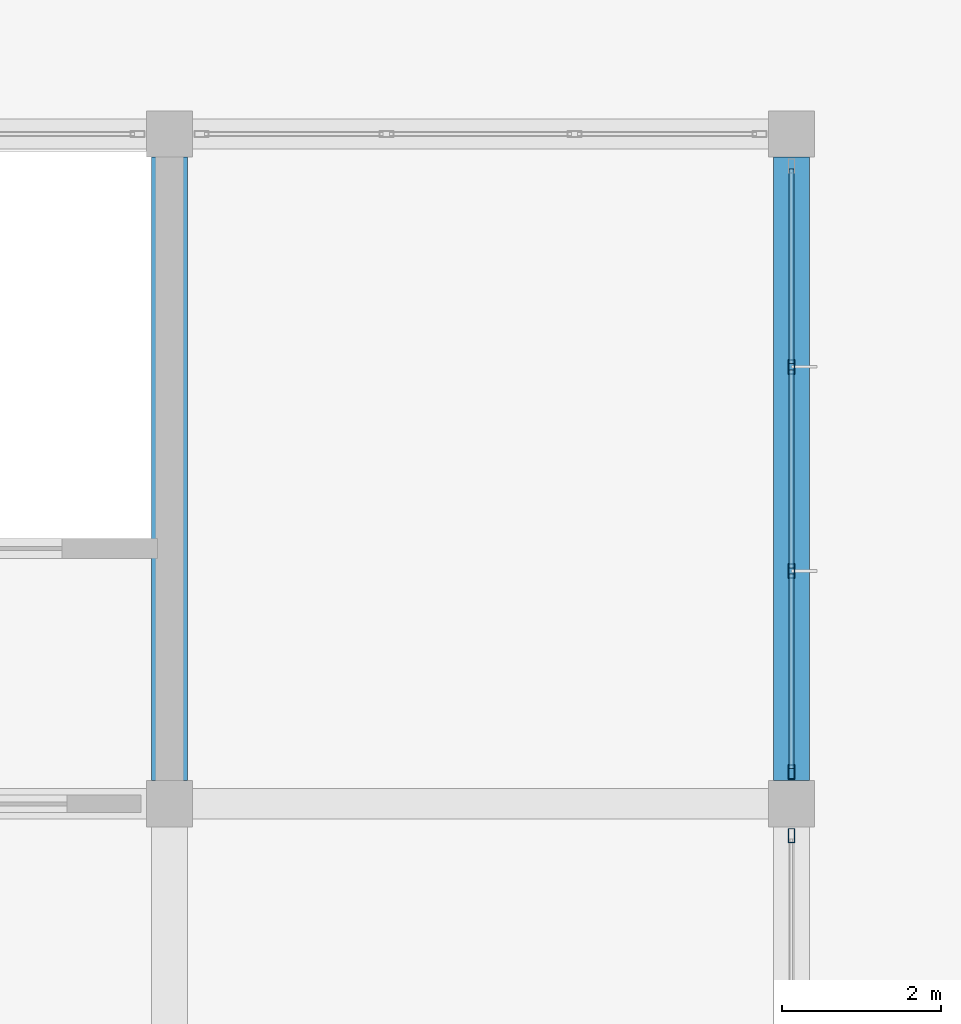
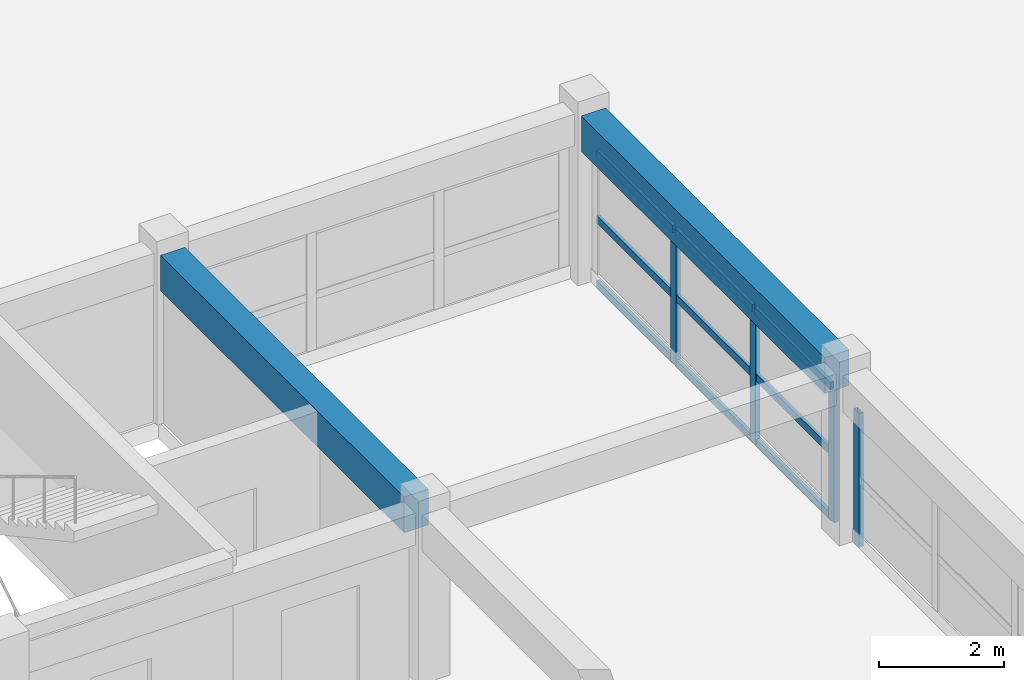
# One storey, part 73 of 101: 13 members, 2 beams, 2 elements without a shape of their own.
"""IFC4 building model written with IfcOpenShell, lengths in metres."""

from ifc_helpers import new_model, si_unit, direction, frame, origin, origin_2d, place, context, subcontext, project, spatial, rectangle, hollow_rectangle, extrude, material, layer, layer_set, material_profile, profile_set, type_object, element, aggregate, save


model = new_model("IFC4")

# Units and contexts
model_context = context("Model", 3, precision=1e-05, world=origin(), true_north=direction((0.0, 1.0)))
body_context = subcontext(model_context, "Body", "Model", "MODEL_VIEW")
ifc_project = project(units=[si_unit("LENGTHUNIT", "METRE"), si_unit("AREAUNIT", "SQUARE_METRE"), si_unit("VOLUMEUNIT", "CUBIC_METRE"), si_unit("PLANEANGLEUNIT", "RADIAN"), si_unit("MASSUNIT", "GRAM", prefix="KILO")], contexts=[model_context])

# Site, building, storey
site_placement = place(None, origin())
site = spatial("IfcSite", under=ifc_project, at=site_placement, CompositionType="ELEMENT")
building_placement = place(site_placement, origin())
building = spatial("IfcBuilding", under=site, at=building_placement, Name="Zizhar Promenade General Hospital", CompositionType="ELEMENT")
storey_placement = place(building_placement, frame((0.0, 0.0, 14.39990234375)))
storey = spatial("IfcBuildingStorey", under=building, at=storey_placement, Name="L03", CompositionType="ELEMENT", Elevation=14.39990234375)

# Beams
ifc_material_1 = material(Name="Concrete C35/45", Category="concrete")
ifc_material_profile_1 = material_profile(ifc_material_1, rectangle(XDim=0.449951171875, YDim=0.699951171875, at=origin_2d()))
ifc_profile_set_1 = profile_set([ifc_material_profile_1], Name="Concrete C35/45")
beam_type = type_object("IfcBeamType", Name="BM-RC-450x700", PredefinedType="BEAM", material=ifc_profile_set_1)
for number, where, z_axis, x_axis, name in (
    (1, (179.39990234375, 92.68994140625, 2.960205078125), (0.0, 1.0, 0.0), (-1.0, 0.0, 0.0), "Grid Beam Y L03 (23-11)"),
    (2, (187.199951171875, 92.68994140625, 2.960205078125), (0.0, 1.0, 0.0), (-1.0, 0.0, 0.0), "Grid Beam Y L03 (24-11)"),
):
    element("IfcBeam", number, at=place(storey_placement, frame(where, z_axis=z_axis, x_axis=x_axis)), inside=storey, type_object=beam_type, Name=name, PredefinedType="BEAM", context=body_context, shape_type="SweptSolid", body=[
        extrude(rectangle(XDim=0.449951171875, YDim=0.699951171875, at=origin_2d()), origin(), (0.0, 0.0, 1.0), 7.820068359375),
    ])

# Curtain wall, member
ifc_material_2 = material(Name="Anodised aluminium 6063-T6 and low-E glass", Category="aluminium")
ifc_layer = layer(ifc_material_2, 0.159912109375)
ifc_layer_set = layer_set([ifc_layer], Name="Anodised aluminium 6063-T6 and low-E glass")
curtain_wall_type = type_object("IfcCurtainWallType", Name="CW-CLN-L03", PredefinedType="NOTDEFINED", material=ifc_layer_set)
curtain_wall_1_placement = place(storey_placement, origin())
curtain_wall_1 = element("IfcCurtainWall", 3, at=curtain_wall_1_placement, inside=storey, type_object=curtain_wall_type, Name="L03 Clinic Pavilion East Glazing 10", PredefinedType="NOTDEFINED")
ifc_material_3 = material(Name="Anodised aluminium 6063-T6", Category="aluminium")
ifc_material_profile_2 = material_profile(ifc_material_3, hollow_rectangle(XDim=0.080078125, YDim=0.179931640625, WallThickness=0.0048828125, at=origin_2d()))
ifc_profile_set_2 = profile_set([ifc_material_profile_2], Name="Anodised aluminium 6063-T6")
member_type_1 = type_object("IfcMemberType", Name="CWM-ALU-180x80", PredefinedType="MULLION", material=ifc_profile_set_2)
member_1_placement = place(storey_placement, frame((187.199951171875, 92.0, 0.0), z_axis=(0.0, 0.0, 1.0), x_axis=(1.0, 0.0, 0.0)))
member_1 = element("IfcMember", 4, at=member_1_placement, type_object=member_type_1, Name="CW-11 mullion 1", PredefinedType="MULLION", context=body_context, shape_type="SweptSolid", body=[
    extrude(hollow_rectangle(XDim=0.080078125, YDim=0.179931640625, WallThickness=0.0048828125, at=origin_2d()), origin(), (0.0, 0.0, 1.0), 2.6201171875),
])
aggregate(curtain_wall_1, [member_1])

# Curtain wall, members
curtain_wall_2_placement = place(storey_placement, origin())
curtain_wall_2 = element("IfcCurtainWall", 5, at=curtain_wall_2_placement, inside=storey, type_object=curtain_wall_type, Name="L03 Clinic Pavilion East Glazing 11", PredefinedType="NOTDEFINED")
member_2_placement = place(storey_placement, frame((187.199951171875, 97.8798828125, 0.0), z_axis=(0.0, 0.0, 1.0), x_axis=(1.0, 0.0, 0.0)))
member_2 = element("IfcMember", 6, at=member_2_placement, type_object=member_type_1, Name="CW-11 mullion 2", PredefinedType="MULLION", context=body_context, shape_type="SweptSolid", body=[
    extrude(hollow_rectangle(XDim=0.080078125, YDim=0.179931640625, WallThickness=0.0048828125, at=origin_2d()), origin(), (0.0, 0.0, 1.0), 2.6201171875),
])
member_3_placement = place(storey_placement, frame((187.199951171875, 95.320068359375, 0.0), z_axis=(0.0, 0.0, 1.0), x_axis=(1.0, 0.0, 0.0)))
member_3 = element("IfcMember", 7, at=member_3_placement, type_object=member_type_1, Name="CW-11 mullion 3", PredefinedType="MULLION", context=body_context, shape_type="SweptSolid", body=[
    extrude(hollow_rectangle(XDim=0.080078125, YDim=0.179931640625, WallThickness=0.0048828125, at=origin_2d()), origin(), (0.0, 0.0, 1.0), 2.6201171875),
])
member_4_placement = place(storey_placement, frame((187.199951171875, 92.800048828125, 0.0), z_axis=(0.0, 0.0, 1.0), x_axis=(1.0, 0.0, 0.0)))
member_4 = element("IfcMember", 8, at=member_4_placement, type_object=member_type_1, Name="CW-11 mullion 4", PredefinedType="MULLION", context=body_context, shape_type="SweptSolid", body=[
    extrude(hollow_rectangle(XDim=0.080078125, YDim=0.179931640625, WallThickness=0.0048828125, at=origin_2d()), origin(), (0.0, 0.0, 1.0), 2.6201171875),
])
ifc_material_4 = material(Name="Anodised aluminium 6063-T6", Category="aluminium")
ifc_material_profile_3 = material_profile(ifc_material_4, hollow_rectangle(XDim=0.06005859375, YDim=0.14990234375, WallThickness=0.00390625, at=origin_2d()))
ifc_profile_set_3 = profile_set([ifc_material_profile_3], Name="Anodised aluminium 6063-T6")
member_type_2 = type_object("IfcMemberType", Name="CWT-ALU-150x60", PredefinedType="USERDEFINED", material=ifc_profile_set_3)
member_5_placement = place(storey_placement, frame((187.199951171875, 100.360107421875, 0.030029296875), z_axis=(0.0, -1.0, 0.0), x_axis=(1.0, 0.0, 0.0)))
member_5 = element("IfcMember", 9, at=member_5_placement, type_object=member_type_2, Name="CW-11 transom 1.1", ObjectType="TRANSOM", PredefinedType="USERDEFINED", context=body_context, shape_type="SweptSolid", body=[
    extrude(hollow_rectangle(XDim=0.06005859375, YDim=0.14990234375, WallThickness=0.00390625, at=origin_2d()), origin(), (0.0, 0.0, 1.0), 2.440185546875),
])
member_6_placement = place(storey_placement, frame((187.199951171875, 100.360107421875, 1.31005859375), z_axis=(0.0, -1.0, 0.0), x_axis=(1.0, 0.0, 0.0)))
member_6 = element("IfcMember", 10, at=member_6_placement, type_object=member_type_2, Name="CW-11 transom 1.2", ObjectType="TRANSOM", PredefinedType="USERDEFINED", context=body_context, shape_type="SweptSolid", body=[
    extrude(hollow_rectangle(XDim=0.06005859375, YDim=0.14990234375, WallThickness=0.00390625, at=origin_2d()), origin(), (0.0, 0.0, 1.0), 2.440185546875),
])
member_7_placement = place(storey_placement, frame((187.199951171875, 100.360107421875, 2.590087890625), z_axis=(0.0, -1.0, 0.0), x_axis=(1.0, 0.0, 0.0)))
member_7 = element("IfcMember", 11, at=member_7_placement, type_object=member_type_2, Name="CW-11 transom 1.3", ObjectType="TRANSOM", PredefinedType="USERDEFINED", context=body_context, shape_type="SweptSolid", body=[
    extrude(hollow_rectangle(XDim=0.06005859375, YDim=0.14990234375, WallThickness=0.00390625, at=origin_2d()), origin(), (0.0, 0.0, 1.0), 2.440185546875),
])
member_8_placement = place(storey_placement, frame((187.199951171875, 97.840087890625, 0.030029296875), z_axis=(0.0, -1.0, 0.0), x_axis=(1.0, 0.0, 0.0)))
member_8 = element("IfcMember", 12, at=member_8_placement, type_object=member_type_2, Name="CW-11 transom 2.1", ObjectType="TRANSOM", PredefinedType="USERDEFINED", context=body_context, shape_type="SweptSolid", body=[
    extrude(hollow_rectangle(XDim=0.06005859375, YDim=0.14990234375, WallThickness=0.00390625, at=origin_2d()), origin(), (0.0, 0.0, 1.0), 2.47998046875),
])
member_9_placement = place(storey_placement, frame((187.199951171875, 97.840087890625, 1.31005859375), z_axis=(0.0, -1.0, 0.0), x_axis=(1.0, 0.0, 0.0)))
member_9 = element("IfcMember", 13, at=member_9_placement, type_object=member_type_2, Name="CW-11 transom 2.2", ObjectType="TRANSOM", PredefinedType="USERDEFINED", context=body_context, shape_type="SweptSolid", body=[
    extrude(hollow_rectangle(XDim=0.06005859375, YDim=0.14990234375, WallThickness=0.00390625, at=origin_2d()), origin(), (0.0, 0.0, 1.0), 2.47998046875),
])
member_10_placement = place(storey_placement, frame((187.199951171875, 97.840087890625, 2.590087890625), z_axis=(0.0, -1.0, 0.0), x_axis=(1.0, 0.0, 0.0)))
member_10 = element("IfcMember", 14, at=member_10_placement, type_object=member_type_2, Name="CW-11 transom 2.3", ObjectType="TRANSOM", PredefinedType="USERDEFINED", context=body_context, shape_type="SweptSolid", body=[
    extrude(hollow_rectangle(XDim=0.06005859375, YDim=0.14990234375, WallThickness=0.00390625, at=origin_2d()), origin(), (0.0, 0.0, 1.0), 2.47998046875),
])
member_11_placement = place(storey_placement, frame((187.199951171875, 95.280029296875, 0.030029296875), z_axis=(0.0, -1.0, 0.0), x_axis=(1.0, 0.0, 0.0)))
member_11 = element("IfcMember", 15, at=member_11_placement, type_object=member_type_2, Name="CW-11 transom 3.1", ObjectType="TRANSOM", PredefinedType="USERDEFINED", context=body_context, shape_type="SweptSolid", body=[
    extrude(hollow_rectangle(XDim=0.06005859375, YDim=0.14990234375, WallThickness=0.00390625, at=origin_2d()), origin(), (0.0, 0.0, 1.0), 2.43994140625),
])
member_12_placement = place(storey_placement, frame((187.199951171875, 95.280029296875, 1.31005859375), z_axis=(0.0, -1.0, 0.0), x_axis=(1.0, 0.0, 0.0)))
member_12 = element("IfcMember", 16, at=member_12_placement, type_object=member_type_2, Name="CW-11 transom 3.2", ObjectType="TRANSOM", PredefinedType="USERDEFINED", context=body_context, shape_type="SweptSolid", body=[
    extrude(hollow_rectangle(XDim=0.06005859375, YDim=0.14990234375, WallThickness=0.00390625, at=origin_2d()), origin(), (0.0, 0.0, 1.0), 2.43994140625),
])
member_13_placement = place(storey_placement, frame((187.199951171875, 95.280029296875, 2.590087890625), z_axis=(0.0, -1.0, 0.0), x_axis=(1.0, 0.0, 0.0)))
member_13 = element("IfcMember", 17, at=member_13_placement, type_object=member_type_2, Name="CW-11 transom 3.3", ObjectType="TRANSOM", PredefinedType="USERDEFINED", context=body_context, shape_type="SweptSolid", body=[
    extrude(hollow_rectangle(XDim=0.06005859375, YDim=0.14990234375, WallThickness=0.00390625, at=origin_2d()), origin(), (0.0, 0.0, 1.0), 2.43994140625),
])
aggregate(curtain_wall_2, [member_2, member_3, member_4, member_5, member_6, member_7, member_8, member_9, member_10, member_11, member_12, member_13])

save(model, "model.ifc")
